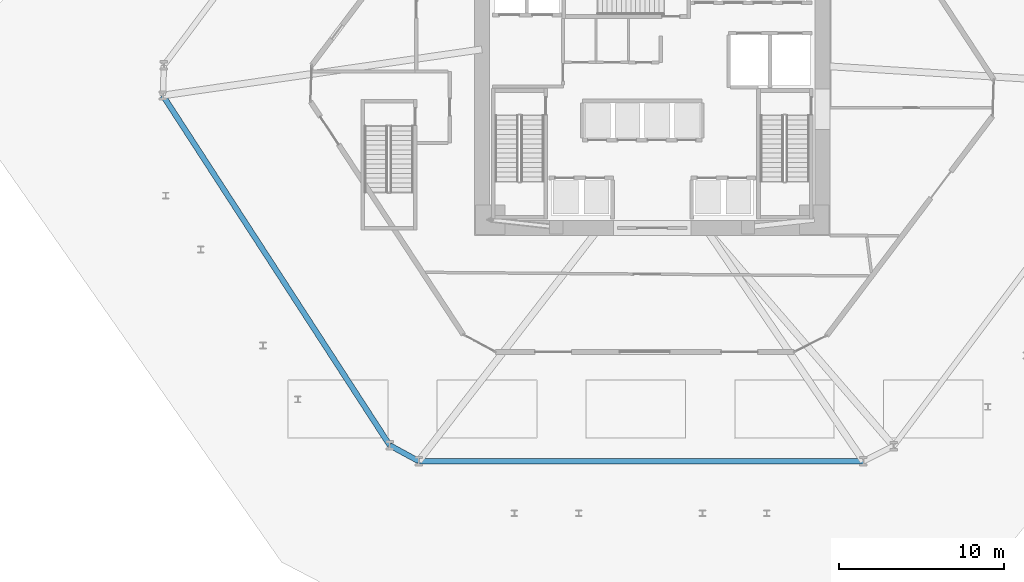
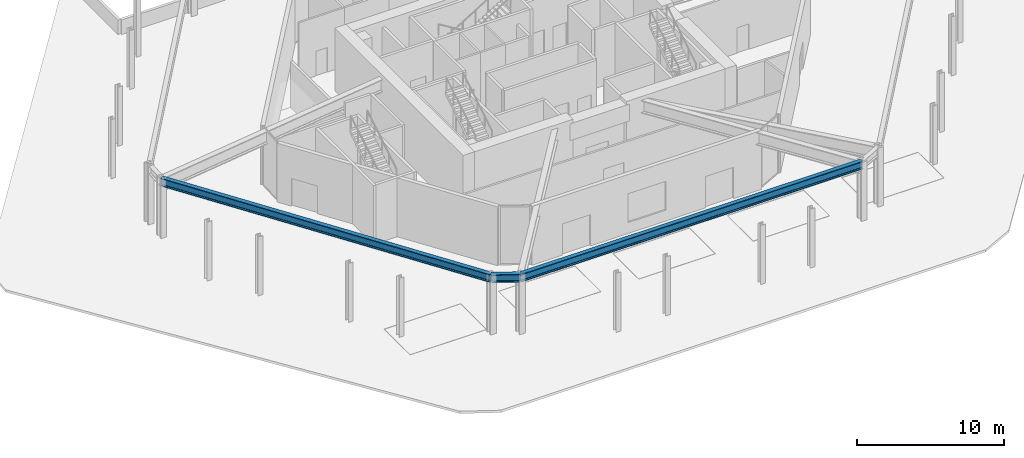
# One storey, part 5 of 18: 3 beams.
"""IFC4 building model written with IfcOpenShell, lengths in metres."""

import ifcopenshell
import ifcopenshell.guid

model = None  # the IFC model being written
_history = None  # IfcOwnerHistory: only IFC2X3 demands one
_inside = {}  # id of a spatial element -> (the spatial element, [elements in it])
_under = {}  # id of a project, library or spatial element -> (it, [spatial elements below it])
_declared = {}  # id of a project -> (the project, [libraries it declares])
_typed = {}  # id of a type object -> (the type object, [elements of that type])
_made_of = {}  # id of a material, layer set ... -> (it, [elements and type objects made of it])


def new_model(schema):
    """Start an empty IFC model of exactly this schema.

    Asked for "IFC4X3", IfcOpenShell would pick the latest addendum, in which some entities
    have other attributes; the version numbers below select the first issue.
    IFC2X3 requires an IfcOwnerHistory on every rooted entity: one is made here for all.
    """
    global model, _history
    if schema == "IFC4X3":
        model = ifcopenshell.file(schema_version=(4, 3, 0, 0))
    else:
        model = ifcopenshell.file(schema=schema)
    _inside.clear()
    _under.clear()
    _declared.clear()
    _typed.clear()
    _made_of.clear()
    _history = None
    if model.schema == "IFC2X3":
        org = make("IfcOrganization", Name="unknown")
        user = make(
            "IfcPersonAndOrganization",
            ThePerson=make("IfcPerson", FamilyName="unknown"),
            TheOrganization=org,
        )
        app = make(
            "IfcApplication",
            ApplicationDeveloper=org,
            Version="unknown",
            ApplicationFullName="unknown",
            ApplicationIdentifier="unknown",
        )
        _history = make(
            "IfcOwnerHistory",
            OwningUser=user,
            OwningApplication=app,
            ChangeAction="ADDED",
            CreationDate=0,
        )
    return model


def make(cls, **values):
    """One entity of the class cls with the attributes given. An attribute that is None is left unset."""
    return model.create_entity(
        cls, **{name: value for name, value in values.items() if value is not None}
    )


def rooted(cls, **values):
    """An entity with a GlobalId (a new one), such as an element, a storey or a relation."""
    return make(cls, GlobalId=ifcopenshell.guid.new(), OwnerHistory=_history, **values)


def si_unit(unit_type, name, prefix=None):
    """IfcSIUnit, for example si_unit("LENGTHUNIT", "METRE", prefix="MILLI")."""
    return make("IfcSIUnit", UnitType=unit_type, Prefix=prefix, Name=name)


def assignment(units):
    """IfcUnitAssignment: the units of a project."""
    return None if units is None else make("IfcUnitAssignment", Units=units)


def point(xyz):
    """IfcCartesianPoint."""
    return None if xyz is None else make("IfcCartesianPoint", Coordinates=xyz)


def direction(xyz):
    """IfcDirection."""
    return None if xyz is None else make("IfcDirection", DirectionRatios=xyz)


def frame(location, z_axis=None, x_axis=None):
    """IfcAxis2Placement3D, a coordinate frame: its origin and axes. An axis left out is left unset."""
    return make(
        "IfcAxis2Placement3D",
        Location=point(location),
        Axis=direction(z_axis),
        RefDirection=direction(x_axis),
    )


def frame_2d(location, x_axis=None):
    """IfcAxis2Placement2D, a coordinate frame in the plane: its origin and x axis."""
    return make(
        "IfcAxis2Placement2D", Location=point(location), RefDirection=direction(x_axis)
    )


def origin():
    """The frame at (0, 0, 0) with its axes left unset."""
    return frame((0.0, 0.0, 0.0))


def origin_2d():
    """The frame at (0, 0) in the plane with its x axis left unset."""
    return frame_2d((0.0, 0.0))


def place(relative_to, where):
    """IfcLocalPlacement: puts the frame where relative to a parent placement (None: the world)."""
    return make(
        "IfcLocalPlacement", PlacementRelTo=relative_to, RelativePlacement=where
    )


def context(
    kind, dimensions, precision=None, world=None, true_north=None, identifier=None
):
    """IfcGeometricRepresentationContext, for example the 3D "Model" context."""
    return make(
        "IfcGeometricRepresentationContext",
        ContextIdentifier=identifier,
        ContextType=kind,
        CoordinateSpaceDimension=dimensions,
        Precision=precision,
        WorldCoordinateSystem=world,
        TrueNorth=true_north,
    )


def subcontext(parent, identifier, kind, view, scale=None):
    """IfcGeometricRepresentationSubContext, for example "Body" below "Model"."""
    return make(
        "IfcGeometricRepresentationSubContext",
        ContextIdentifier=identifier,
        ContextType=kind,
        ParentContext=parent,
        TargetScale=scale,
        TargetView=view,
    )


def project(units=None, contexts=None):
    """IfcProject with its units and contexts."""
    return rooted(
        "IfcProject",
        Name="project",
        RepresentationContexts=contexts,
        UnitsInContext=assignment(units),
    )


def spatial(cls, under=None, at=None, **own):
    """A site, building, storey or space (cls), placed at a placement, below another one or the project."""
    s = rooted(cls, ObjectPlacement=at, **own)
    if under is not None:
        _under.setdefault(under.id(), (under, []))[1].append(s)
    return s


def profile(cls, at=None, kind="AREA", **sizes):
    """A parametric profile (cls). Its sizes go by their IFC names, for example OverallWidth=200.0."""
    return make(cls, ProfileType=kind, Position=at, **sizes)


def i_section(**sizes):
    """IfcIShapeProfileDef."""
    return profile("IfcIShapeProfileDef", **sizes)


def extrude(swept, where, along, depth):
    """IfcExtrudedAreaSolid: the profile swept, set in the frame where, extruded along a direction by depth."""
    return make(
        "IfcExtrudedAreaSolid",
        SweptArea=swept,
        Position=where,
        ExtrudedDirection=direction(along),
        Depth=depth,
    )


def shape(context_of_items, identifier, shape_type, items):
    """IfcShapeRepresentation: the items that make up one representation, for example the "Body"."""
    return make(
        "IfcShapeRepresentation",
        ContextOfItems=context_of_items,
        RepresentationIdentifier=identifier,
        RepresentationType=shape_type,
        Items=items,
    )


def source(mapping_origin, context_of_items, identifier, shape_type, items):
    """IfcRepresentationMap: a shape defined once, which mapped items show again and again."""
    return make(
        "IfcRepresentationMap",
        MappingOrigin=mapping_origin,
        MappedRepresentation=shape(context_of_items, identifier, shape_type, items),
    )


def transform(
    local_origin,
    x_axis=None,
    y_axis=None,
    z_axis=None,
    scale=None,
    scale2=None,
    scale3=None,
    uniform=True,
):
    """IfcCartesianTransformationOperator3D, or its non-uniform kind. x_axis, y_axis, z_axis: its Axis1, 2, 3."""
    if uniform:
        return make(
            "IfcCartesianTransformationOperator3D",
            Axis1=direction(x_axis),
            Axis2=direction(y_axis),
            LocalOrigin=point(local_origin),
            Scale=scale,
            Axis3=direction(z_axis),
        )
    return make(
        "IfcCartesianTransformationOperator3DnonUniform",
        Axis1=direction(x_axis),
        Axis2=direction(y_axis),
        LocalOrigin=point(local_origin),
        Scale=scale,
        Axis3=direction(z_axis),
        Scale2=scale2,
        Scale3=scale3,
    )


def mapped(mapping_source, mapping_target):
    """IfcMappedItem: shows the shape of a source again, moved by a transform."""
    return make(
        "IfcMappedItem", MappingSource=mapping_source, MappingTarget=mapping_target
    )


def material(Name=None, Category=None):
    """IfcMaterial."""
    return make("IfcMaterial", Name=Name, Category=Category)


def material_profile(
    of_material, cross_section, Name=None, Category=None, Priority=None
):
    """IfcMaterialProfile: a cross section and its material."""
    return make(
        "IfcMaterialProfile",
        Name=Name,
        Material=of_material,
        Profile=cross_section,
        Priority=Priority,
        Category=Category,
    )


def profile_set(profiles, Name=None, composite=None):
    """IfcMaterialProfileSet."""
    return make(
        "IfcMaterialProfileSet",
        Name=Name,
        MaterialProfiles=profiles,
        CompositeProfile=composite,
    )


def made_of(thing, what):
    """Note that an element or type object is made of a material, layer set ...; save() writes the relation."""
    if what is not None:
        _made_of.setdefault(what.id(), (what, []))[1].append(thing)
    return thing


def type_object(cls, material=None, **own):
    """A type object (cls), such as IfcWallType, which elements share."""
    return made_of(rooted(cls, **own), material)


def type_shapes(of_type, sources):
    """Give a type object the sources (RepresentationMaps) that its elements show as mapped items."""
    of_type.RepresentationMaps = sources


def element(
    cls,
    number,
    at=None,
    inside=None,
    cuts=None,
    type_object=None,
    material=None,
    context=None,
    identifier="Body",
    shape_type=None,
    held_by="IfcProductDefinitionShape",
    body=None,
    shapes=None,
    **own,
):
    """One element of the class cls, such as IfcWall. Its Tag is "e" and its number.

    at: its placement. inside: the storey or other place that contains it. cuts: it is an
    opening in that element (IfcRelVoidsElement). A single representation is given by context,
    identifier, shape_type and body (its items); several are given by shapes. held_by: the class
    of the entity that holds the representations. save() writes the other relations.
    """
    e = rooted(cls, Tag="e%d" % number, ObjectPlacement=at, **own)
    if body is not None:
        shapes = [shape(context, identifier, shape_type, body)]
    if shapes is not None:
        e.Representation = make(held_by, Representations=shapes)
    if inside is not None:
        _inside.setdefault(inside.id(), (inside, []))[1].append(e)
    if cuts is not None:
        rooted(
            "IfcRelVoidsElement", RelatingBuildingElement=cuts, RelatedOpeningElement=e
        )
    if type_object is not None:
        _typed.setdefault(type_object.id(), (type_object, []))[1].append(e)
    return made_of(e, material)


def aggregate(whole, parts):
    """IfcRelAggregates: a whole, such as a stair, and the parts it consists of."""
    return rooted("IfcRelAggregates", RelatingObject=whole, RelatedObjects=parts)


def save(model, path):
    """Write the relations noted so far, then the file.

    IfcRelAggregates (storeys below a building ...), IfcRelContainedInSpatialStructure (elements
    in a storey), IfcRelDefinesByType, IfcRelAssociatesMaterial and IfcRelDeclares: one each for
    every whole, place, type object, material and project.
    """
    for whole, parts in _under.values():
        aggregate(whole, parts)
    for where, things in _inside.values():
        rooted(
            "IfcRelContainedInSpatialStructure",
            RelatedElements=things,
            RelatingStructure=where,
        )
    for kind, things in _typed.values():
        rooted("IfcRelDefinesByType", RelatedObjects=things, RelatingType=kind)
    for what, things in _made_of.values():
        rooted("IfcRelAssociatesMaterial", RelatedObjects=things, RelatingMaterial=what)
    for by, libraries in _declared.values():
        rooted("IfcRelDeclares", RelatingContext=by, RelatedDefinitions=libraries)
    model.write(path)


model = new_model("IFC4")

# Units and contexts
model_context = context("Model", 3, precision=1e-05, world=origin(), true_north=direction((0.0, 1.0)))
body_context = subcontext(model_context, "Body", "Model", "MODEL_VIEW")
ifc_project = project(units=[si_unit("LENGTHUNIT", "METRE"), si_unit("AREAUNIT", "SQUARE_METRE"), si_unit("VOLUMEUNIT", "CUBIC_METRE"), si_unit("PLANEANGLEUNIT", "RADIAN"), si_unit("MASSUNIT", "GRAM", prefix="KILO")], contexts=[model_context])

# Site, building, storey
site_placement = place(None, origin())
site = spatial("IfcSite", under=ifc_project, at=site_placement, CompositionType="ELEMENT")
building_placement = place(site_placement, origin())
building = spatial("IfcBuilding", under=site, at=building_placement, Name="Durnholm Broadcast Tower", CompositionType="ELEMENT")
storey_placement = place(building_placement, origin())
storey = spatial("IfcBuildingStorey", under=building, at=storey_placement, Name="L00", CompositionType="ELEMENT", Elevation=0.0)

# Beams
ifc_material = material(Name="Steel ASTM A992 Grade 50", Category="steel")
ifc_material_profile = material_profile(ifc_material, i_section(OverallWidth=0.3330078125, OverallDepth=0.660888671875, WebThickness=0.0244140625, FlangeThickness=0.0439453125, FilletRadius=0.02783203125, at=origin_2d()), Name="W24X229")
ifc_profile_set = profile_set([ifc_material_profile], Name="Steel ASTM A992 Grade 50")
beam_type = type_object("IfcBeamType", Name="STL-SP-W24X229", PredefinedType="SPANDREL", material=ifc_profile_set)
shared_shape_1 = source(origin(), body_context, "Body", "SweptSolid", [
    extrude(i_section(OverallWidth=0.3330078125, OverallDepth=0.660888671875, WebThickness=0.0244140625, FlangeThickness=0.0439453125, FilletRadius=0.02783203125, at=origin_2d()), origin(), (0.0, 0.0, 1.0), 25.22265625),
])
beam_1_placement = place(storey_placement, frame((-15.866455078125, -21.45068359375, 4.5546875), z_axis=(-0.544117081794, 0.839009297505, 0.0), x_axis=(-0.839009297505, -0.544117081794, 0.0)))
element("IfcBeam", 1, at=beam_1_placement, inside=storey, type_object=beam_type, Name="L00 perimeter spandrel girder 01", PredefinedType="SPANDREL", context=body_context, shape_type="MappedRepresentation", body=[
    mapped(shared_shape_1, transform((0.0, 0.0, 0.0), x_axis=(1.0, 0.0, 0.0), y_axis=(0.0, 1.0, 0.0), z_axis=(0.0, 0.0, 1.0), scale=1.0)),
])
shared_shape_2 = source(origin(), body_context, "Body", "SweptSolid", [
    extrude(i_section(OverallWidth=0.3330078125, OverallDepth=0.660888671875, WebThickness=0.0244140625, FlangeThickness=0.0439453125, FilletRadius=0.02783203125, at=origin_2d()), origin(), (0.0, 0.0, 1.0), 26.891357421875),
])
beam_2_placement = place(storey_placement, frame((12.77197265625, -22.39990234375, 4.5546875), z_axis=(-1.0, 0.0, 0.0), x_axis=(0.0, -1.0, 0.0)))
element("IfcBeam", 2, at=beam_2_placement, inside=storey, type_object=beam_type, Name="L00 perimeter spandrel girder 11", PredefinedType="SPANDREL", context=body_context, shape_type="MappedRepresentation", body=[
    mapped(shared_shape_2, transform((0.0, 0.0, 0.0), x_axis=(1.0, 0.0, 0.0), y_axis=(0.0, 1.0, 0.0), z_axis=(0.0, 0.0, 1.0), scale=1.0)),
])
shared_shape_3 = source(origin(), body_context, "Body", "SweptSolid", [
    extrude(i_section(OverallWidth=0.3330078125, OverallDepth=0.660888671875, WebThickness=0.0244140625, FlangeThickness=0.0439453125, FilletRadius=0.02783203125, at=origin_2d()), origin(), (0.0, 0.0, 1.0), 1.98828125),
])
type_shapes(beam_type, [shared_shape_1, shared_shape_2, shared_shape_3])
beam_3_placement = place(storey_placement, frame((-14.119384765625, -22.39990234375, 4.5546875), z_axis=(-0.878682739647, 0.477406161508, 0.0), x_axis=(-0.477406161508, -0.878682739647, 0.0)))
element("IfcBeam", 3, at=beam_3_placement, inside=storey, type_object=beam_type, Name="L00 perimeter spandrel girder 12", PredefinedType="SPANDREL", context=body_context, shape_type="MappedRepresentation", body=[
    mapped(shared_shape_3, transform((0.0, 0.0, 0.0), x_axis=(1.0, 0.0, 0.0), y_axis=(0.0, 1.0, 0.0), z_axis=(0.0, 0.0, 1.0), scale=1.0)),
])

save(model, "model.ifc")
